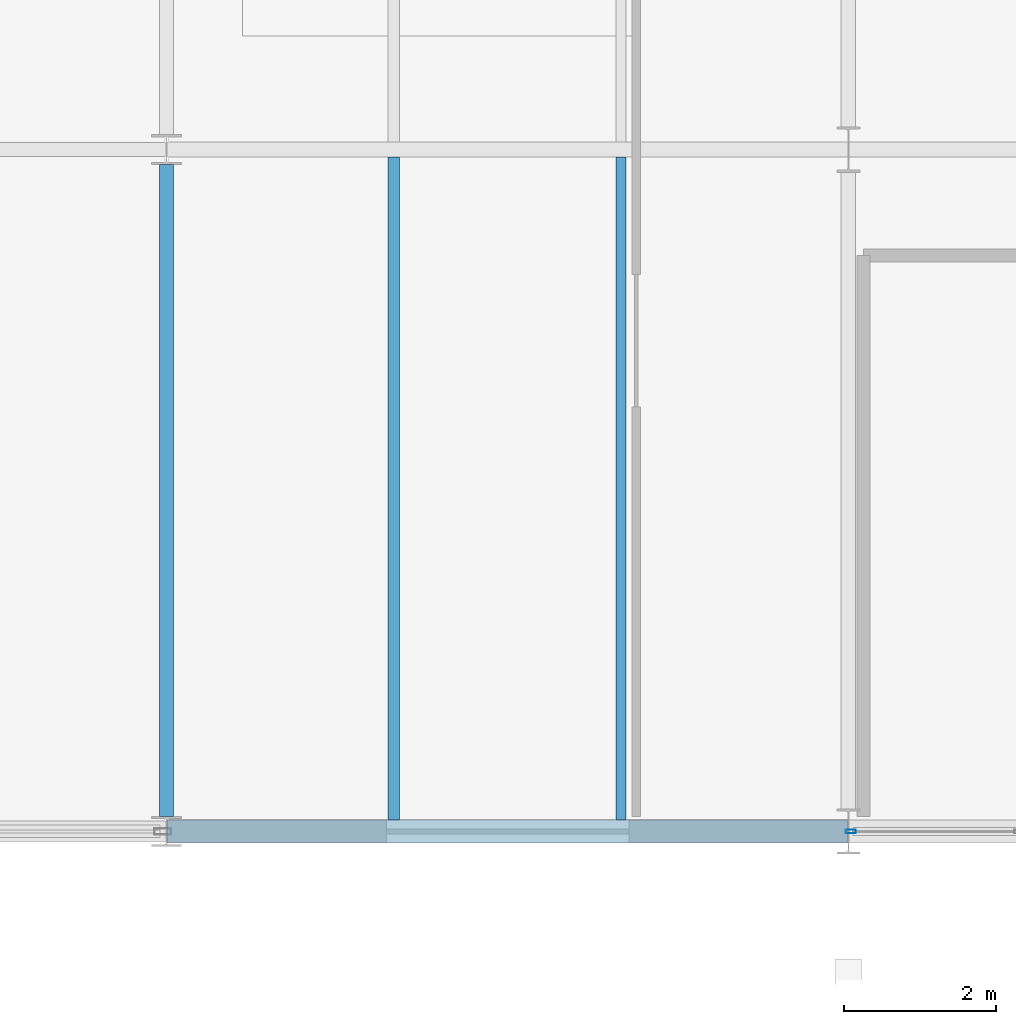
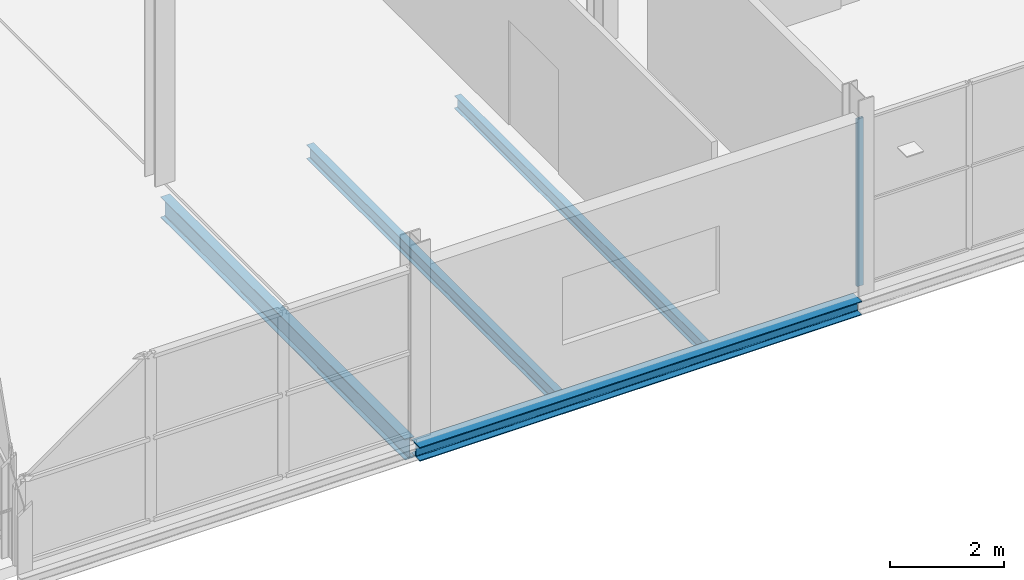
# One storey, part 12 of 44: 4 beams, 1 member, 1 element without a shape of its own.
"""IFC4 building model written with IfcOpenShell, lengths in metres."""

from ifc_helpers import new_model, si_unit, direction, frame, origin, origin_2d, place, context, subcontext, project, spatial, hollow_rectangle, i_section, extrude, material, layer, layer_set, material_profile, profile_set, type_object, element, aggregate, save


model = new_model("IFC4")

# Units and contexts
model_context = context("Model", 3, precision=1e-05, world=origin(), true_north=direction((0.0, 1.0)))
body_context = subcontext(model_context, "Body", "Model", "MODEL_VIEW")
ifc_project = project(units=[si_unit("LENGTHUNIT", "METRE"), si_unit("AREAUNIT", "SQUARE_METRE"), si_unit("VOLUMEUNIT", "CUBIC_METRE"), si_unit("PLANEANGLEUNIT", "RADIAN"), si_unit("MASSUNIT", "GRAM", prefix="KILO")], contexts=[model_context])

# Site, building, storey
site_placement = place(None, origin())
site = spatial("IfcSite", under=ifc_project, at=site_placement, CompositionType="ELEMENT")
building_placement = place(site_placement, origin())
building = spatial("IfcBuilding", under=site, at=building_placement, Name="Deido Ridge Mobility Hub", CompositionType="ELEMENT")
storey_placement = place(building_placement, frame((0.0, 0.0, 25.199951171875)))
storey = spatial("IfcBuildingStorey", under=building, at=storey_placement, Name="L06", CompositionType="ELEMENT", Elevation=25.199951171875)

# Beams
ifc_material_1 = material(Name="Steel S355J2 EN 10025-2", Category="steel")
ifc_material_profile_1 = material_profile(ifc_material_1, i_section(OverallWidth=0.18994140625, OverallDepth=0.449951171875, WebThickness=0.009521484375, FlangeThickness=0.0146484375, FilletRadius=0.02099609375, at=origin_2d()), Name="IPE 450")
ifc_profile_set_1 = profile_set([ifc_material_profile_1], Name="Steel S355J2 EN 10025-2")
beam_type_1 = type_object("IfcBeamType", Name="BM-IPE450", PredefinedType="BEAM", material=ifc_profile_set_1)
beam_1_placement = place(storey_placement, frame((144.0, 0.196533203125, -0.46484375), z_axis=(0.0, 1.0, 0.0), x_axis=(-1.0, 0.0, 0.0)))
element("IfcBeam", 1, at=beam_1_placement, inside=storey, type_object=beam_type_1, Name="Floor beam B4", PredefinedType="BEAM", context=body_context, shape_type="SweptSolid", body=[
    extrude(i_section(OverallWidth=0.18994140625, OverallDepth=0.449951171875, WebThickness=0.009521484375, FlangeThickness=0.0146484375, FilletRadius=0.02099609375, at=origin_2d()), origin(), (0.0, 0.0, 1.0), 8.60693359375),
])
ifc_material_profile_2 = material_profile(ifc_material_1, i_section(OverallWidth=0.135009765625, OverallDepth=0.27001953125, WebThickness=0.006591796875, FlangeThickness=0.01025390625, FilletRadius=0.014892578125, at=origin_2d()), Name="IPE 270")
ifc_profile_set_2 = profile_set([ifc_material_profile_2], Name="Steel S355J2 EN 10025-2")
beam_type_2 = type_object("IfcBeamType", Name="JST-IPE270", PredefinedType="JOIST", material=ifc_profile_set_2)
beam_2_placement = place(storey_placement, frame((150.0, 0.14990234375, -0.375), z_axis=(0.0, 1.0, 0.0), x_axis=(-1.0, 0.0, 0.0)))
element("IfcBeam", 2, at=beam_2_placement, inside=storey, type_object=beam_type_2, Name="Composite joist J4", PredefinedType="JOIST", context=body_context, shape_type="SweptSolid", body=[
    extrude(i_section(OverallWidth=0.135009765625, OverallDepth=0.27001953125, WebThickness=0.006591796875, FlangeThickness=0.01025390625, FilletRadius=0.014892578125, at=origin_2d()), origin(), (0.0, 0.0, 1.0), 8.75),
])
ifc_material_profile_3 = material_profile(ifc_material_1, i_section(OverallWidth=0.14990234375, OverallDepth=0.300048828125, WebThickness=0.007080078125, FlangeThickness=0.0107421875, FilletRadius=0.014892578125, at=origin_2d()), Name="IPE 300")
ifc_profile_set_3 = profile_set([ifc_material_profile_3], Name="Steel S355J2 EN 10025-2")
beam_type_3 = type_object("IfcBeamType", Name="JST-IPE300", PredefinedType="JOIST", material=ifc_profile_set_3)
beam_3_placement = place(storey_placement, frame((147.0, 0.14990234375, -0.389892578125), z_axis=(0.0, 1.0, 0.0), x_axis=(-1.0, 0.0, 0.0)))
element("IfcBeam", 3, at=beam_3_placement, inside=storey, type_object=beam_type_3, Name="Composite joist J3", PredefinedType="JOIST", context=body_context, shape_type="SweptSolid", body=[
    extrude(i_section(OverallWidth=0.14990234375, OverallDepth=0.300048828125, WebThickness=0.007080078125, FlangeThickness=0.0107421875, FilletRadius=0.014892578125, at=origin_2d()), origin(), (0.0, 0.0, 1.0), 8.75),
])

# Curtain wall, member
ifc_material_2 = material(Name="Anodised aluminium EN AW-6063 T6", Category="aluminium")
ifc_layer = layer(ifc_material_2, 0.1650390625, Name="Anodised aluminium EN AW-6063 T6")
ifc_layer_set = layer_set([ifc_layer], Name="Anodised aluminium EN AW-6063 T6")
curtain_wall_type = type_object("IfcCurtainWallType", Name="CW-UF-1", PredefinedType="USERDEFINED", material=ifc_layer_set)
curtain_wall_placement = place(storey_placement, origin())
curtain_wall = element("IfcCurtainWall", 4, at=curtain_wall_placement, inside=storey, type_object=curtain_wall_type, Name="Unitised curtain wall CW1", ObjectType="UNITISED FACADE", PredefinedType="USERDEFINED")
ifc_material_profile_4 = material_profile(ifc_material_2, hollow_rectangle(XDim=0.050048828125, YDim=0.1298828125, WallThickness=0.00390625, at=origin_2d()), Name="RHS 50x130x4")
ifc_profile_set_4 = profile_set([ifc_material_profile_4], Name="Anodised aluminium EN AW-6063 T6")
member_type = type_object("IfcMemberType", Name="MEM-MUL-50X130", PredefinedType="MULLION", material=ifc_profile_set_4)
member_placement = place(storey_placement, frame((153.03271484375, 0.0, 0.0), z_axis=(0.0, 0.0, 1.0), x_axis=(0.0, 1.0, 0.0)))
member = element("IfcMember", 5, at=member_placement, type_object=member_type, Name="CW1 mullion 1", PredefinedType="MULLION", context=body_context, shape_type="SweptSolid", body=[
    extrude(hollow_rectangle(XDim=0.050048828125, YDim=0.1298828125, WallThickness=0.00390625, at=origin_2d()), origin(), (0.0, 0.0, 1.0), 3.60009765625),
])
aggregate(curtain_wall, [member])

# Beam
ifc_material_profile_5 = material_profile(ifc_material_1, i_section(OverallWidth=0.300048828125, OverallDepth=0.300048828125, WebThickness=0.010986328125, FlangeThickness=0.01904296875, FilletRadius=0.027099609375, at=origin_2d()), Name="HEB 300")
ifc_profile_set_5 = profile_set([ifc_material_profile_5], Name="Steel S355J2 EN 10025-2")
beam_type_4 = type_object("IfcBeamType", Name="SPD-HEB300", PredefinedType="SPANDREL", material=ifc_profile_set_5)
beam_4_placement = place(storey_placement, frame((144.0087890625, 0.0, -0.389892578125), z_axis=(1.0, 0.0, 0.0), x_axis=(0.0, 1.0, 0.0)))
element("IfcBeam", 6, at=beam_4_placement, inside=storey, type_object=beam_type_4, Name="Floor beam SP1", PredefinedType="SPANDREL", context=body_context, shape_type="SweptSolid", body=[
    extrude(i_section(OverallWidth=0.300048828125, OverallDepth=0.300048828125, WebThickness=0.010986328125, FlangeThickness=0.01904296875, FilletRadius=0.027099609375, at=origin_2d()), origin(), (0.0, 0.0, 1.0), 8.9833984375),
])

save(model, "model.ifc")
